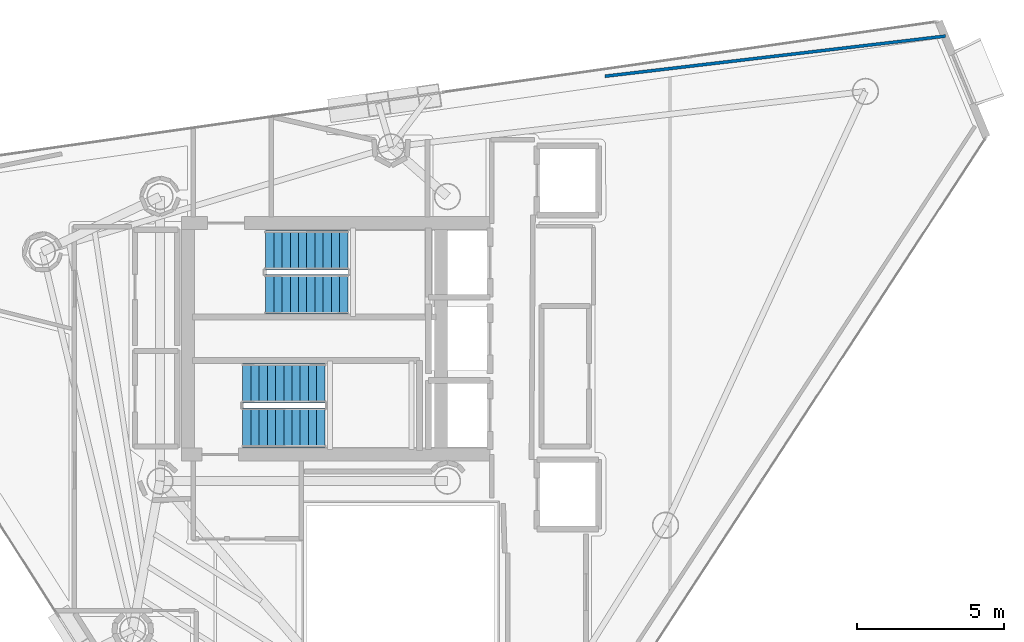
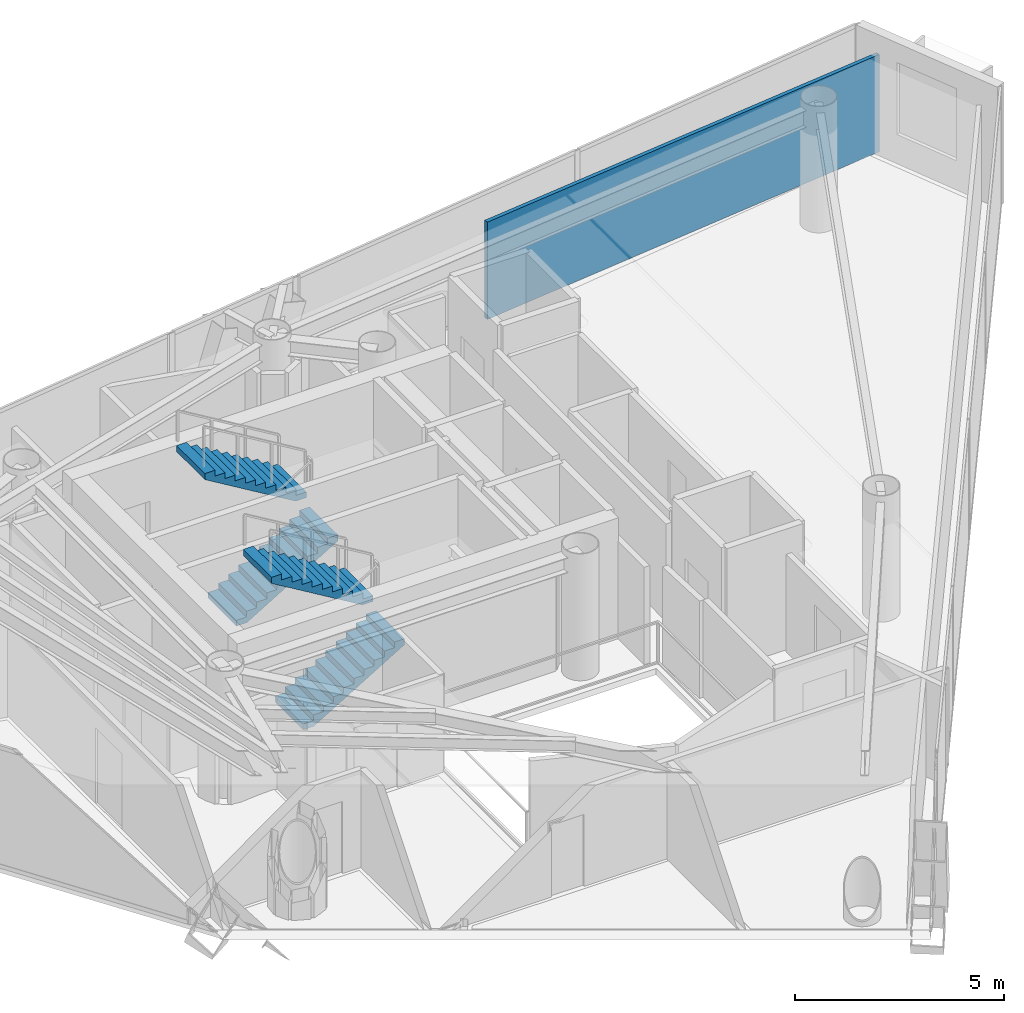
# One storey, part 22 of 25: 4 stair flights, 1 wall, 2 elements without a shape of their own.
"""IFC4 building model written with IfcOpenShell, lengths in metres."""

from ifc_helpers import new_model, si_unit, direction, frame, frame_2d, origin, place, context, subcontext, project, spatial, polyline, rectangle, outline, extrude, material, layer, layer_set, type_object, element, aggregate, save


model = new_model("IFC4")

# Units and contexts
model_context = context("Model", 3, precision=1e-05, world=origin(), true_north=direction((0.0, 1.0)))
body_context = subcontext(model_context, "Body", "Model", "MODEL_VIEW")
ifc_project = project(units=[si_unit("LENGTHUNIT", "METRE"), si_unit("AREAUNIT", "SQUARE_METRE"), si_unit("VOLUMEUNIT", "CUBIC_METRE"), si_unit("PLANEANGLEUNIT", "RADIAN"), si_unit("MASSUNIT", "GRAM", prefix="KILO")], contexts=[model_context])

# Site, building, storey
site_placement = place(None, origin())
site = spatial("IfcSite", under=ifc_project, at=site_placement, CompositionType="ELEMENT")
building_placement = place(site_placement, origin())
building = spatial("IfcBuilding", under=site, at=building_placement, Name="Qianvela Tower", CompositionType="ELEMENT")
storey_placement = place(building_placement, frame((0.0, 0.0, 291.699951171875)))
storey = spatial("IfcBuildingStorey", under=building, at=storey_placement, Name="L75", CompositionType="ELEMENT", Elevation=291.699951171875)

# Wall
ifc_material_1 = material(Name="Lightweight Gypsum Room Partition")
ifc_layer = layer(ifc_material_1, 0.10498046875)
ifc_layer_set = layer_set([ifc_layer], Name="Lightweight Gypsum Room Partition")
wall_type = type_object("IfcWallType", Name="WT-PART-105", PredefinedType="PARTITIONING", material=ifc_layer_set)
wall_placement = place(storey_placement, frame((43.77099609375, 37.653076171875, 0.0), z_axis=(0.0, 0.0, 1.0), x_axis=(0.993121479171, 0.117088546017, 0.0)))
element("IfcWall", 1, at=wall_placement, inside=storey, type_object=wall_type, Name="L75 Partition 110 seg 2", PredefinedType="PARTITIONING", context=body_context, shape_type="SweptSolid", body=[
    extrude(rectangle(XDim=11.684814453125, YDim=0.10498046875, at=frame_2d((5.84228515625, 0.0))), origin(), (0.0, 0.0, 1.0), 2.840087890625),
])

# Stair, stair flights
ifc_material_2 = material(Name="Concrete C40", Category="concrete")
stair_type = type_object("IfcStairType", Name="ST-DOGLEG-1350-R168-N22", PredefinedType="HALF_TURN_STAIR", material=ifc_material_2)
stair_1_placement = place(storey_placement, origin())
stair_1 = element("IfcStair", 2, at=stair_1_placement, inside=storey, type_object=stair_type, Name="L75 Smoke-Proof Core Stair ST-1", PredefinedType="HALF_TURN_STAIR")
ifc_material_3 = material(Name="Concrete C40", Category="concrete")
stair_flight_type = type_object("IfcStairFlightType", Name="STF-STRAIGHT-R168-P11", PredefinedType="STRAIGHT", material=ifc_material_3)
stair_flight_1_placement = place(storey_placement, frame((32.199951171875, 30.215087890625, 0.0), z_axis=(0.0, 0.0, 1.0), x_axis=(1.0, 0.0, 0.0)))
stair_flight_1 = element("IfcStairFlight", 3, at=stair_flight_1_placement, type_object=stair_flight_type, Name="ST-1 flight 1", NumberOfRisers=11, NumberOfTreads=10, PredefinedType="STRAIGHT", RiserHeight=0.168181818, TreadLength=0.28, context=body_context, shape_type="SweptSolid", body=[
    extrude(outline(polyline([(0.0, 0.0), (0.0, 0.168212890625), (0.280029296875, 0.168212890625), (0.280029296875, 0.33642578125), (0.56005859375, 0.33642578125), (0.56005859375, 0.504638671875), (0.840087890625, 0.504638671875), (0.840087890625, 0.672607421875), (1.1201171875, 0.672607421875), (1.1201171875, 0.8408203125), (1.39990234375, 0.8408203125), (1.39990234375, 1.009033203125), (1.679931640625, 1.009033203125), (1.679931640625, 1.17724609375), (1.9599609375, 1.17724609375), (1.9599609375, 1.345458984375), (2.239990234375, 1.345458984375), (2.239990234375, 1.513671875), (2.52001953125, 1.513671875), (2.52001953125, 1.681884765625), (2.800048828125, 1.681884765625), (2.800048828125, 1.85009765625), (2.800048828125, 1.5068359375), (0.291015625, 0.0), (0.0, 0.0)])), frame((0.0, 0.675048828125, 0.0), z_axis=(0.0, -1.0, 0.0), x_axis=(1.0, 0.0, 0.0)), (0.0, 0.0, 1.0), 1.35009765625),
])
stair_flight_2_placement = place(storey_placement, frame((35.0, 31.72509765625, 1.85009765625), z_axis=(0.0, 0.0, 1.0), x_axis=(-1.0, 0.0, 0.0)))
stair_flight_2 = element("IfcStairFlight", 4, at=stair_flight_2_placement, type_object=stair_flight_type, Name="ST-1 flight 2", NumberOfRisers=11, NumberOfTreads=10, PredefinedType="STRAIGHT", RiserHeight=0.168181818, TreadLength=0.28, context=body_context, shape_type="SweptSolid", body=[
    extrude(outline(polyline([(0.0, 0.0), (0.0, 0.168212890625), (0.280029296875, 0.168212890625), (0.280029296875, 0.33642578125), (0.56005859375, 0.33642578125), (0.56005859375, 0.504638671875), (0.840087890625, 0.504638671875), (0.840087890625, 0.672607421875), (1.1201171875, 0.672607421875), (1.1201171875, 0.8408203125), (1.39990234375, 0.8408203125), (1.39990234375, 1.009033203125), (1.679931640625, 1.009033203125), (1.679931640625, 1.17724609375), (1.9599609375, 1.17724609375), (1.9599609375, 1.345458984375), (2.239990234375, 1.345458984375), (2.239990234375, 1.513671875), (2.52001953125, 1.513671875), (2.52001953125, 1.681884765625), (2.800048828125, 1.681884765625), (2.800048828125, 1.85009765625), (2.800048828125, 1.5068359375), (0.291015625, 0.0), (0.0, 0.0)])), frame((0.0, 0.675048828125, 0.0), z_axis=(0.0, -1.0, 0.0), x_axis=(1.0, 0.0, 0.0)), (0.0, 0.0, 1.0), 1.35009765625),
])
aggregate(stair_1, [stair_flight_1, stair_flight_2])

stair_2_placement = place(storey_placement, origin())
stair_2 = element("IfcStair", 5, at=stair_2_placement, inside=storey, type_object=stair_type, Name="L75 Smoke-Proof Core Stair ST-2", PredefinedType="HALF_TURN_STAIR")
stair_flight_3_placement = place(storey_placement, frame((31.419921875, 25.675048828125, 0.0), z_axis=(0.0, 0.0, 1.0), x_axis=(1.0, 0.0, 0.0)))
stair_flight_3 = element("IfcStairFlight", 6, at=stair_flight_3_placement, type_object=stair_flight_type, Name="ST-2 flight 1", NumberOfRisers=11, NumberOfTreads=10, PredefinedType="STRAIGHT", RiserHeight=0.168181818, TreadLength=0.28, context=body_context, shape_type="SweptSolid", body=[
    extrude(outline(polyline([(0.0, 0.0), (0.0, 0.168212890625), (0.280029296875, 0.168212890625), (0.280029296875, 0.33642578125), (0.56005859375, 0.33642578125), (0.56005859375, 0.504638671875), (0.840087890625, 0.504638671875), (0.840087890625, 0.672607421875), (1.1201171875, 0.672607421875), (1.1201171875, 0.8408203125), (1.39990234375, 0.8408203125), (1.39990234375, 1.009033203125), (1.679931640625, 1.009033203125), (1.679931640625, 1.17724609375), (1.9599609375, 1.17724609375), (1.9599609375, 1.345458984375), (2.239990234375, 1.345458984375), (2.239990234375, 1.513671875), (2.52001953125, 1.513671875), (2.52001953125, 1.681884765625), (2.800048828125, 1.681884765625), (2.800048828125, 1.85009765625), (2.800048828125, 1.5068359375), (0.291015625, 0.0), (0.0, 0.0)])), frame((0.0, 0.675048828125, 0.0), z_axis=(0.0, -1.0, 0.0), x_axis=(1.0, 0.0, 0.0)), (0.0, 0.0, 1.0), 1.35009765625),
])
stair_flight_4_placement = place(storey_placement, frame((34.219970703125, 27.18505859375, 1.85009765625), z_axis=(0.0, 0.0, 1.0), x_axis=(-1.0, 0.0, 0.0)))
stair_flight_4 = element("IfcStairFlight", 7, at=stair_flight_4_placement, type_object=stair_flight_type, Name="ST-2 flight 2", NumberOfRisers=11, NumberOfTreads=10, PredefinedType="STRAIGHT", RiserHeight=0.168181818, TreadLength=0.28, context=body_context, shape_type="SweptSolid", body=[
    extrude(outline(polyline([(0.0, 0.0), (0.0, 0.168212890625), (0.280029296875, 0.168212890625), (0.280029296875, 0.33642578125), (0.56005859375, 0.33642578125), (0.56005859375, 0.504638671875), (0.840087890625, 0.504638671875), (0.840087890625, 0.672607421875), (1.1201171875, 0.672607421875), (1.1201171875, 0.8408203125), (1.39990234375, 0.8408203125), (1.39990234375, 1.009033203125), (1.679931640625, 1.009033203125), (1.679931640625, 1.17724609375), (1.9599609375, 1.17724609375), (1.9599609375, 1.345458984375), (2.239990234375, 1.345458984375), (2.239990234375, 1.513671875), (2.52001953125, 1.513671875), (2.52001953125, 1.681884765625), (2.800048828125, 1.681884765625), (2.800048828125, 1.85009765625), (2.800048828125, 1.5068359375), (0.291015625, 0.0), (0.0, 0.0)])), frame((0.0, 0.675048828125, 0.0), z_axis=(0.0, -1.0, 0.0), x_axis=(1.0, 0.0, 0.0)), (0.0, 0.0, 1.0), 1.35009765625),
])
aggregate(stair_2, [stair_flight_3, stair_flight_4])

save(model, "model.ifc")
